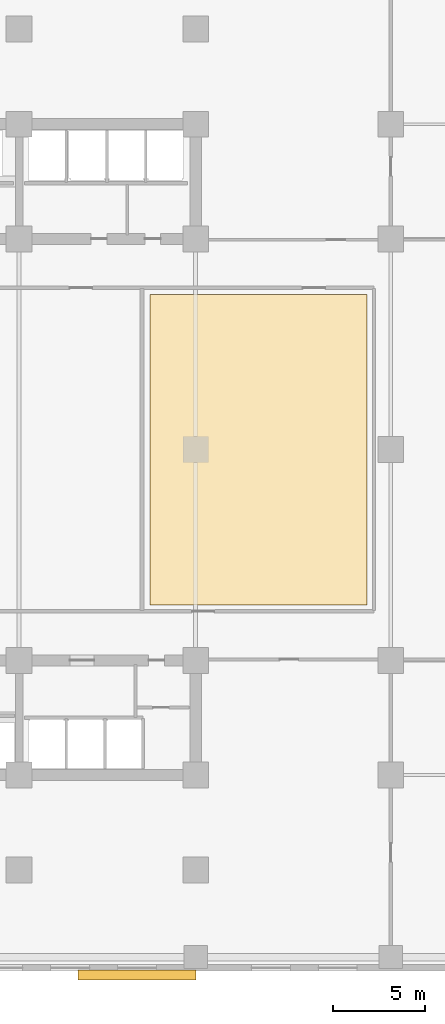
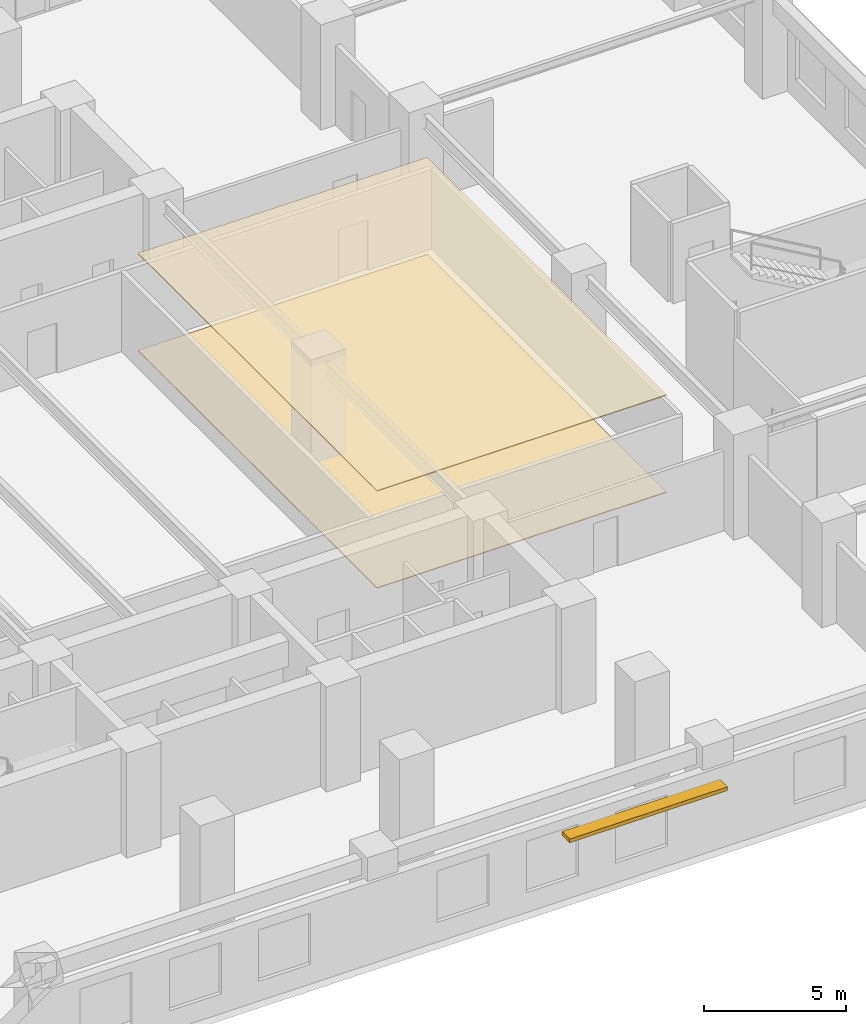
# One storey, part 13 of 15: 2 coverings, 1 shading device.
"""IFC4 building model written with IfcOpenShell, lengths in metres."""

from ifc_helpers import new_model, si_unit, direction, frame, origin, origin_2d, place, context, subcontext, project, spatial, polyline, rectangle, outline, extrude, material, layer, layer_set, type_object, element, save


model = new_model("IFC4")

# Units and contexts
model_context = context("Model", 3, precision=1e-05, world=origin(), true_north=direction((0.0, 1.0)))
body_context = subcontext(model_context, "Body", "Model", "MODEL_VIEW")
ifc_project = project(units=[si_unit("LENGTHUNIT", "METRE"), si_unit("AREAUNIT", "SQUARE_METRE"), si_unit("VOLUMEUNIT", "CUBIC_METRE"), si_unit("PLANEANGLEUNIT", "RADIAN"), si_unit("MASSUNIT", "GRAM", prefix="KILO")], contexts=[model_context])

# Site, building, storey
site_placement = place(None, origin())
site = spatial("IfcSite", under=ifc_project, at=site_placement, CompositionType="ELEMENT")
building_placement = place(site_placement, origin())
building = spatial("IfcBuilding", under=site, at=building_placement, Name="Svetorya Sky Lyceum", CompositionType="ELEMENT")
storey_placement = place(building_placement, frame((0.0, 0.0, 6.60009765625)))
storey = spatial("IfcBuildingStorey", under=building, at=storey_placement, Name="L01", CompositionType="ELEMENT", Elevation=6.60009765625)

# Coverings
ifc_material_1 = material(Name="Anodized aluminium linear acoustic ceiling baffle", Category="aluminium")
ifc_layer_1 = layer(ifc_material_1, 0.0400390625)
ifc_layer_set_1 = layer_set([ifc_layer_1], Name="Anodized aluminium linear acoustic ceiling baffle")
covering_type_1 = type_object("IfcCoveringType", Name="COV-CLG-BAF40", PredefinedType="CEILING", material=ifc_layer_set_1)
covering_1_placement = place(storey_placement, frame((0.0, 0.0, 4.159912109375)))
element("IfcCovering", 1, at=covering_1_placement, inside=storey, type_object=covering_type_1, Name="Classroom Primary 101 Acoustic Ceiling", PredefinedType="CEILING", context=body_context, shape_type="SweptSolid", body=[
    extrude(outline(polyline([(50.330078125, 19.800048828125), (62.070068359375, 19.800048828125), (62.070068359375, 36.60009765625), (50.330078125, 36.60009765625), (50.330078125, 19.800048828125)])), origin(), (0.0, 0.0, 1.0), 0.0400390625),
])
ifc_material_2 = material(Name="Flamed granite slip-resistant lobby flooring", Category="masonry")
ifc_layer_2 = layer(ifc_material_2, 0.034912109375)
ifc_layer_set_2 = layer_set([ifc_layer_2], Name="Flamed granite slip-resistant lobby flooring")
covering_type_2 = type_object("IfcCoveringType", Name="COV-FLR-GRN", PredefinedType="FLOORING", material=ifc_layer_set_2)
covering_2_placement = place(storey_placement, origin())
element("IfcCovering", 2, at=covering_2_placement, inside=storey, type_object=covering_type_2, Name="Classroom Primary 101 Architectural Flooring", PredefinedType="FLOORING", context=body_context, shape_type="SweptSolid", body=[
    extrude(outline(polyline([(50.330078125, 19.800048828125), (62.070068359375, 19.800048828125), (62.070068359375, 36.60009765625), (50.330078125, 36.60009765625), (50.330078125, 19.800048828125)])), origin(), (0.0, 0.0, 1.0), 0.034912109375),
])

# Shading device
ifc_material_3 = material(Name="Champagne-anodized extruded aluminium sunshade", Category="aluminium")
ifc_layer_3 = layer(ifc_material_3, 0.159912109375)
ifc_layer_set_3 = layer_set([ifc_layer_3], Name="Champagne-anodized extruded aluminium sunshade")
shading_device_type = type_object("IfcShadingDeviceType", Name="SHD-LVR-540", PredefinedType="AWNING", material=ifc_layer_set_3)
shading_device_placement = place(storey_placement, frame((49.625, -0.219970703125, 2.77001953125), z_axis=(0.0, 0.0, 1.0), x_axis=(1.0, 0.0, 0.0)))
element("IfcShadingDevice", 3, at=shading_device_placement, inside=storey, type_object=shading_device_type, Name="L01 Solar Brise-Soleil SHD-1.6B", PredefinedType="AWNING", context=body_context, shape_type="SweptSolid", body=[
    extrude(rectangle(XDim=6.39990234375, YDim=0.5400390625, at=origin_2d()), origin(), (0.0, 0.0, 1.0), 0.159912109375),
])

save(model, "model.ifc")
